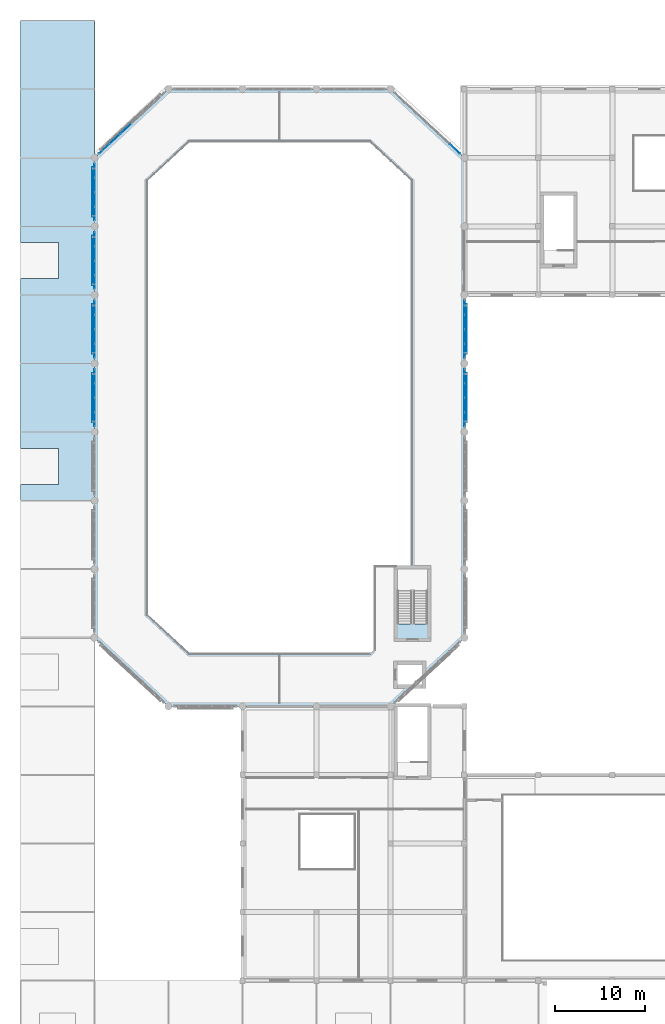
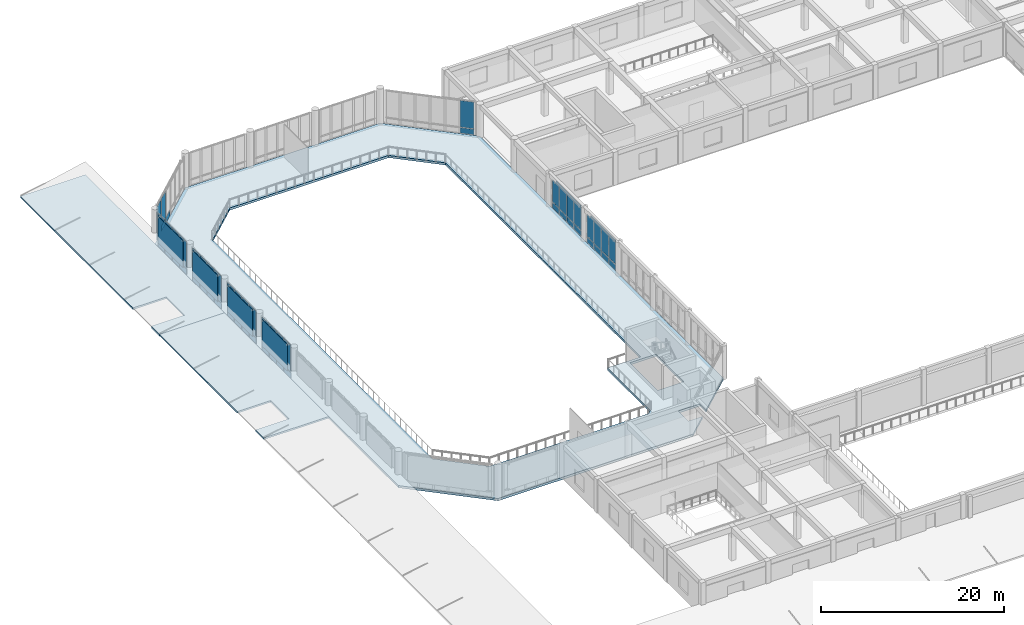
# One storey, part 31 of 57: 61 plates, 3 slabs, 8 elements without a shape of their own.
"""IFC4 building model written with IfcOpenShell, lengths in metres."""

from ifc_helpers import new_model, si_unit, direction, frame, origin, origin_2d, place, context, subcontext, project, spatial, polyline, rectangle, outline, extrude, material, layer, layer_set, type_object, element, aggregate, save


model = new_model("IFC4")

# Units and contexts
model_context = context("Model", 3, precision=1e-05, world=origin(), true_north=direction((0.0, 1.0)))
body_context = subcontext(model_context, "Body", "Model", "MODEL_VIEW")
ifc_project = project(units=[si_unit("LENGTHUNIT", "METRE"), si_unit("AREAUNIT", "SQUARE_METRE"), si_unit("VOLUMEUNIT", "CUBIC_METRE"), si_unit("PLANEANGLEUNIT", "RADIAN"), si_unit("MASSUNIT", "GRAM", prefix="KILO")], contexts=[model_context])

# Site, building, storey
site_placement = place(None, origin())
site = spatial("IfcSite", under=ifc_project, at=site_placement, CompositionType="ELEMENT")
building_placement = place(site_placement, origin())
building = spatial("IfcBuilding", under=site, at=building_placement, Name="Qandaris Square Conservatory and Botanical Centre", CompositionType="ELEMENT")
storey_placement = place(building_placement, frame((0.0, 0.0, 5.39990234375)))
storey = spatial("IfcBuildingStorey", under=building, at=storey_placement, Name="L01", CompositionType="ELEMENT", Elevation=5.39990234375)

# Curtain wall, plates
ifc_material_1 = material(Name="Anodised Aluminium", Category="aluminium")
curtain_wall_type_1 = type_object("IfcCurtainWallType", Name="Unitised Curtain Wall CW-1-644x392", PredefinedType="USERDEFINED", material=ifc_material_1)
curtain_wall_1_placement = place(storey_placement, origin())
curtain_wall_1 = element("IfcCurtainWall", 1, at=curtain_wall_1_placement, inside=storey, type_object=curtain_wall_type_1, Name="Curtain Wall CW-CON-L01-3-4", ObjectType="GLAZED CURTAIN WALL", PredefinedType="USERDEFINED")
ifc_material_2 = material(Name="Tempered Low-E Glass", Category="glass")
ifc_layer_1 = layer(ifc_material_2, 0.0400390625)
ifc_layer_set_1 = layer_set([ifc_layer_1], Name="Tempered Low-E Glass")
plate_type_1 = type_object("IfcPlateType", Name="Conservatory Laminated Low-Iron Biome Glass 40mm", PredefinedType="CURTAIN_PANEL", material=ifc_layer_set_1)
plate_1_placement = place(storey_placement, frame((57.199951171875, 78.8037109375, 0.0751953125), z_axis=(0.0, 0.0, 1.0), x_axis=(0.0, 1.0, 0.0)))
plate_1 = element("IfcPlate", 2, at=plate_1_placement, type_object=plate_type_1, Name="CW-1-644x392 panel 1.1", PredefinedType="CURTAIN_PANEL", context=body_context, shape_type="SweptSolid", body=[
    extrude(rectangle(XDim=1.49755859375, YDim=0.0400390625, at=origin_2d()), origin(), (0.0, 0.0, 1.0), 0.737548828125),
])
plate_2_placement = place(storey_placement, frame((57.199951171875, 78.8037109375, 0.8876953125), z_axis=(0.0, 0.0, 1.0), x_axis=(0.0, 1.0, 0.0)))
plate_2 = element("IfcPlate", 3, at=plate_2_placement, type_object=plate_type_1, Name="CW-1-644x392 panel 1.2", PredefinedType="CURTAIN_PANEL", context=body_context, shape_type="SweptSolid", body=[
    extrude(rectangle(XDim=1.49755859375, YDim=0.0400390625, at=origin_2d()), origin(), (0.0, 0.0, 1.0), 2.95751953125),
])
plate_3_placement = place(storey_placement, frame((57.199951171875, 80.39501953125, 0.0751953125), z_axis=(0.0, 0.0, 1.0), x_axis=(0.0, 1.0, 0.0)))
plate_3 = element("IfcPlate", 4, at=plate_3_placement, type_object=plate_type_1, Name="CW-1-644x392 panel 2.1", PredefinedType="CURTAIN_PANEL", context=body_context, shape_type="SweptSolid", body=[
    extrude(rectangle(XDim=1.534912109375, YDim=0.0400390625, at=origin_2d()), origin(), (0.0, 0.0, 1.0), 0.737548828125),
])
plate_4_placement = place(storey_placement, frame((57.199951171875, 80.39501953125, 0.8876953125), z_axis=(0.0, 0.0, 1.0), x_axis=(0.0, 1.0, 0.0)))
plate_4 = element("IfcPlate", 5, at=plate_4_placement, type_object=plate_type_1, Name="CW-1-644x392 panel 2.2", PredefinedType="CURTAIN_PANEL", context=body_context, shape_type="SweptSolid", body=[
    extrude(rectangle(XDim=1.534912109375, YDim=0.0400390625, at=origin_2d()), origin(), (0.0, 0.0, 1.0), 2.95751953125),
])
plate_5_placement = place(storey_placement, frame((57.199951171875, 82.0048828125, 0.0751953125), z_axis=(0.0, 0.0, 1.0), x_axis=(0.0, 1.0, 0.0)))
plate_5 = element("IfcPlate", 6, at=plate_5_placement, type_object=plate_type_1, Name="CW-1-644x392 panel 3.1", PredefinedType="CURTAIN_PANEL", context=body_context, shape_type="SweptSolid", body=[
    extrude(rectangle(XDim=1.534912109375, YDim=0.0400390625, at=origin_2d()), origin(), (0.0, 0.0, 1.0), 0.737548828125),
])
plate_6_placement = place(storey_placement, frame((57.199951171875, 82.0048828125, 0.8876953125), z_axis=(0.0, 0.0, 1.0), x_axis=(0.0, 1.0, 0.0)))
plate_6 = element("IfcPlate", 7, at=plate_6_placement, type_object=plate_type_1, Name="CW-1-644x392 panel 3.2", PredefinedType="CURTAIN_PANEL", context=body_context, shape_type="SweptSolid", body=[
    extrude(rectangle(XDim=1.534912109375, YDim=0.0400390625, at=origin_2d()), origin(), (0.0, 0.0, 1.0), 2.95751953125),
])
plate_7_placement = place(storey_placement, frame((57.199951171875, 83.59619140625, 0.0751953125), z_axis=(0.0, 0.0, 1.0), x_axis=(0.0, 1.0, 0.0)))
plate_7 = element("IfcPlate", 8, at=plate_7_placement, type_object=plate_type_1, Name="CW-1-644x392 panel 4.1", PredefinedType="CURTAIN_PANEL", context=body_context, shape_type="SweptSolid", body=[
    extrude(rectangle(XDim=1.49755859375, YDim=0.0400390625, at=origin_2d()), origin(), (0.0, 0.0, 1.0), 0.737548828125),
])
plate_8_placement = place(storey_placement, frame((57.199951171875, 83.59619140625, 0.8876953125), z_axis=(0.0, 0.0, 1.0), x_axis=(0.0, 1.0, 0.0)))
plate_8 = element("IfcPlate", 9, at=plate_8_placement, type_object=plate_type_1, Name="CW-1-644x392 panel 4.2", PredefinedType="CURTAIN_PANEL", context=body_context, shape_type="SweptSolid", body=[
    extrude(rectangle(XDim=1.49755859375, YDim=0.0400390625, at=origin_2d()), origin(), (0.0, 0.0, 1.0), 2.95751953125),
])
aggregate(curtain_wall_1, [plate_1, plate_2, plate_3, plate_4, plate_5, plate_6, plate_7, plate_8])

curtain_wall_2_placement = place(storey_placement, origin())
curtain_wall_2 = element("IfcCurtainWall", 10, at=curtain_wall_2_placement, inside=storey, type_object=curtain_wall_type_1, Name="Curtain Wall CW-CON-L01-3-5", ObjectType="GLAZED CURTAIN WALL", PredefinedType="USERDEFINED")
plate_9_placement = place(storey_placement, frame((57.199951171875, 86.40380859375, 0.0751953125), z_axis=(0.0, 0.0, 1.0), x_axis=(0.0, 1.0, 0.0)))
plate_9 = element("IfcPlate", 11, at=plate_9_placement, type_object=plate_type_1, Name="CW-1-644x392 panel 1.1", PredefinedType="CURTAIN_PANEL", context=body_context, shape_type="SweptSolid", body=[
    extrude(rectangle(XDim=1.49755859375, YDim=0.0400390625, at=origin_2d()), origin(), (0.0, 0.0, 1.0), 0.737548828125),
])
plate_10_placement = place(storey_placement, frame((57.199951171875, 86.40380859375, 0.8876953125), z_axis=(0.0, 0.0, 1.0), x_axis=(0.0, 1.0, 0.0)))
plate_10 = element("IfcPlate", 12, at=plate_10_placement, type_object=plate_type_1, Name="CW-1-644x392 panel 1.2", PredefinedType="CURTAIN_PANEL", context=body_context, shape_type="SweptSolid", body=[
    extrude(rectangle(XDim=1.49755859375, YDim=0.0400390625, at=origin_2d()), origin(), (0.0, 0.0, 1.0), 2.95751953125),
])
plate_11_placement = place(storey_placement, frame((57.199951171875, 87.9951171875, 0.0751953125), z_axis=(0.0, 0.0, 1.0), x_axis=(0.0, 1.0, 0.0)))
plate_11 = element("IfcPlate", 13, at=plate_11_placement, type_object=plate_type_1, Name="CW-1-644x392 panel 2.1", PredefinedType="CURTAIN_PANEL", context=body_context, shape_type="SweptSolid", body=[
    extrude(rectangle(XDim=1.534912109375, YDim=0.0400390625, at=origin_2d()), origin(), (0.0, 0.0, 1.0), 0.737548828125),
])
plate_12_placement = place(storey_placement, frame((57.199951171875, 87.9951171875, 0.8876953125), z_axis=(0.0, 0.0, 1.0), x_axis=(0.0, 1.0, 0.0)))
plate_12 = element("IfcPlate", 14, at=plate_12_placement, type_object=plate_type_1, Name="CW-1-644x392 panel 2.2", PredefinedType="CURTAIN_PANEL", context=body_context, shape_type="SweptSolid", body=[
    extrude(rectangle(XDim=1.534912109375, YDim=0.0400390625, at=origin_2d()), origin(), (0.0, 0.0, 1.0), 2.95751953125),
])
plate_13_placement = place(storey_placement, frame((57.199951171875, 89.60498046875, 0.0751953125), z_axis=(0.0, 0.0, 1.0), x_axis=(0.0, 1.0, 0.0)))
plate_13 = element("IfcPlate", 15, at=plate_13_placement, type_object=plate_type_1, Name="CW-1-644x392 panel 3.1", PredefinedType="CURTAIN_PANEL", context=body_context, shape_type="SweptSolid", body=[
    extrude(rectangle(XDim=1.534912109375, YDim=0.0400390625, at=origin_2d()), origin(), (0.0, 0.0, 1.0), 0.737548828125),
])
plate_14_placement = place(storey_placement, frame((57.199951171875, 89.60498046875, 0.8876953125), z_axis=(0.0, 0.0, 1.0), x_axis=(0.0, 1.0, 0.0)))
plate_14 = element("IfcPlate", 16, at=plate_14_placement, type_object=plate_type_1, Name="CW-1-644x392 panel 3.2", PredefinedType="CURTAIN_PANEL", context=body_context, shape_type="SweptSolid", body=[
    extrude(rectangle(XDim=1.534912109375, YDim=0.0400390625, at=origin_2d()), origin(), (0.0, 0.0, 1.0), 2.95751953125),
])
plate_15_placement = place(storey_placement, frame((57.199951171875, 91.1962890625, 0.0751953125), z_axis=(0.0, 0.0, 1.0), x_axis=(0.0, 1.0, 0.0)))
plate_15 = element("IfcPlate", 17, at=plate_15_placement, type_object=plate_type_1, Name="CW-1-644x392 panel 4.1", PredefinedType="CURTAIN_PANEL", context=body_context, shape_type="SweptSolid", body=[
    extrude(rectangle(XDim=1.49755859375, YDim=0.0400390625, at=origin_2d()), origin(), (0.0, 0.0, 1.0), 0.737548828125),
])
plate_16_placement = place(storey_placement, frame((57.199951171875, 91.1962890625, 0.8876953125), z_axis=(0.0, 0.0, 1.0), x_axis=(0.0, 1.0, 0.0)))
plate_16 = element("IfcPlate", 18, at=plate_16_placement, type_object=plate_type_1, Name="CW-1-644x392 panel 4.2", PredefinedType="CURTAIN_PANEL", context=body_context, shape_type="SweptSolid", body=[
    extrude(rectangle(XDim=1.49755859375, YDim=0.0400390625, at=origin_2d()), origin(), (0.0, 0.0, 1.0), 2.95751953125),
])
aggregate(curtain_wall_2, [plate_9, plate_10, plate_11, plate_12, plate_13, plate_14, plate_15, plate_16])

curtain_wall_type_2 = type_object("IfcCurtainWallType", Name="Unitised Curtain Wall CW-1-1002x452", PredefinedType="USERDEFINED", material=ifc_material_1)
curtain_wall_3_placement = place(storey_placement, origin())
curtain_wall_3 = element("IfcCurtainWall", 19, at=curtain_wall_3_placement, inside=storey, type_object=curtain_wall_type_2, Name="Curtain Wall CW-CON-L01-4-1", ObjectType="GLAZED CURTAIN WALL", PredefinedType="USERDEFINED")
plate_17_placement = place(storey_placement, frame((56.1484375, 108.774658203125, 0.0751953125), z_axis=(0.0, 0.0, 1.0), x_axis=(-0.733432966404, 0.679761784592, 0.0)))
plate_17 = element("IfcPlate", 20, at=plate_17_placement, type_object=plate_type_1, Name="CW-1-1002x452 panel 1.1", PredefinedType="CURTAIN_PANEL", context=body_context, shape_type="SweptSolid", body=[
    extrude(rectangle(XDim=1.5576171875, YDim=0.0400390625, at=origin_2d()), origin(), (0.0, 0.0, 1.0), 0.737548828125),
])
plate_18_placement = place(storey_placement, frame((56.1484375, 108.774658203125, 0.887451171875), z_axis=(0.0, 0.0, 1.0), x_axis=(-0.733432966404, 0.679761784592, 0.0)))
plate_18 = element("IfcPlate", 21, at=plate_18_placement, type_object=plate_type_1, Name="CW-1-1002x452 panel 1.2", PredefinedType="CURTAIN_PANEL", context=body_context, shape_type="SweptSolid", body=[
    extrude(rectangle(XDim=1.5576171875, YDim=0.0400390625, at=origin_2d()), origin(), (0.0, 0.0, 1.0), 3.5576171875),
])
aggregate(curtain_wall_3, [plate_17, plate_18])

curtain_wall_4_placement = place(storey_placement, origin())
curtain_wall_4 = element("IfcCurtainWall", 22, at=curtain_wall_4_placement, inside=storey, type_object=curtain_wall_type_2, Name="Curtain Wall CW-CON-L01-6-1", ObjectType="GLAZED CURTAIN WALL", PredefinedType="USERDEFINED")
plate_19_placement = place(storey_placement, frame((19.6875, 111.032470703125, 0.0751953125), z_axis=(0.0, 0.0, 1.0), x_axis=(-0.733432966404, -0.679761784592, 0.0)))
plate_19 = element("IfcPlate", 23, at=plate_19_placement, type_object=plate_type_1, Name="CW-1-1002x452 panel 4.1", PredefinedType="CURTAIN_PANEL", context=body_context, shape_type="SweptSolid", body=[
    extrude(rectangle(XDim=1.594970703125, YDim=0.0400390625, at=origin_2d()), origin(), (0.0, 0.0, 1.0), 0.737548828125),
])
plate_20_placement = place(storey_placement, frame((18.462646484375, 109.897216796875, 0.0751953125), z_axis=(0.0, 0.0, 1.0), x_axis=(-0.733432966404, -0.679761784592, 0.0)))
plate_20 = element("IfcPlate", 24, at=plate_20_placement, type_object=plate_type_1, Name="CW-1-1002x452 panel 5.1", PredefinedType="CURTAIN_PANEL", context=body_context, shape_type="SweptSolid", body=[
    extrude(rectangle(XDim=1.594970703125, YDim=0.0400390625, at=origin_2d()), origin(), (0.0, 0.0, 1.0), 0.737548828125),
])
plate_21_placement = place(storey_placement, frame((18.462646484375, 109.897216796875, 0.887451171875), z_axis=(0.0, 0.0, 1.0), x_axis=(-0.733432966404, -0.679761784592, 0.0)))
plate_21 = element("IfcPlate", 25, at=plate_21_placement, type_object=plate_type_1, Name="CW-1-1002x452 panel 5.2", PredefinedType="CURTAIN_PANEL", context=body_context, shape_type="SweptSolid", body=[
    extrude(rectangle(XDim=1.594970703125, YDim=0.0400390625, at=origin_2d()), origin(), (0.0, 0.0, 1.0), 3.5576171875),
])
plate_22_placement = place(storey_placement, frame((17.25146484375, 108.774658203125, 0.0751953125), z_axis=(0.0, 0.0, 1.0), x_axis=(-0.733432966404, -0.679761784592, 0.0)))
plate_22 = element("IfcPlate", 26, at=plate_22_placement, type_object=plate_type_1, Name="CW-1-1002x452 panel 6.1", PredefinedType="CURTAIN_PANEL", context=body_context, shape_type="SweptSolid", body=[
    extrude(rectangle(XDim=1.5576171875, YDim=0.0400390625, at=origin_2d()), origin(), (0.0, 0.0, 1.0), 0.737548828125),
])
plate_23_placement = place(storey_placement, frame((17.25146484375, 108.774658203125, 0.887451171875), z_axis=(0.0, 0.0, 1.0), x_axis=(-0.733432966404, -0.679761784592, 0.0)))
plate_23 = element("IfcPlate", 27, at=plate_23_placement, type_object=plate_type_1, Name="CW-1-1002x452 panel 6.2", PredefinedType="CURTAIN_PANEL", context=body_context, shape_type="SweptSolid", body=[
    extrude(rectangle(XDim=1.5576171875, YDim=0.0400390625, at=origin_2d()), origin(), (0.0, 0.0, 1.0), 3.5576171875),
])
aggregate(curtain_wall_4, [plate_19, plate_20, plate_21, plate_22, plate_23])

curtain_wall_type_3 = type_object("IfcCurtainWallType", Name="Unitised Curtain Wall CW-1-644x452", PredefinedType="USERDEFINED", material=ifc_material_1)
curtain_wall_5_placement = place(storey_placement, origin())
curtain_wall_5 = element("IfcCurtainWall", 28, at=curtain_wall_5_placement, inside=storey, type_object=curtain_wall_type_3, Name="Curtain Wall CW-CON-L01-7-1", ObjectType="GLAZED CURTAIN WALL", PredefinedType="USERDEFINED")
plate_24_placement = place(storey_placement, frame((16.199951171875, 106.396240234375, 0.0751953125), z_axis=(0.0, 0.0, 1.0), x_axis=(0.0, -1.0, 0.0)))
plate_24 = element("IfcPlate", 29, at=plate_24_placement, type_object=plate_type_1, Name="CW-1-644x452 panel 1.1", PredefinedType="CURTAIN_PANEL", context=body_context, shape_type="SweptSolid", body=[
    extrude(rectangle(XDim=1.49755859375, YDim=0.0400390625, at=origin_2d()), origin(), (0.0, 0.0, 1.0), 0.737548828125),
])
plate_25_placement = place(storey_placement, frame((16.199951171875, 106.396240234375, 0.887451171875), z_axis=(0.0, 0.0, 1.0), x_axis=(0.0, -1.0, 0.0)))
plate_25 = element("IfcPlate", 30, at=plate_25_placement, type_object=plate_type_1, Name="CW-1-644x452 panel 1.2", PredefinedType="CURTAIN_PANEL", context=body_context, shape_type="SweptSolid", body=[
    extrude(rectangle(XDim=1.49755859375, YDim=0.0400390625, at=origin_2d()), origin(), (0.0, 0.0, 1.0), 3.5576171875),
])
plate_26_placement = place(storey_placement, frame((16.199951171875, 104.804931640625, 0.0751953125), z_axis=(0.0, 0.0, 1.0), x_axis=(0.0, -1.0, 0.0)))
plate_26 = element("IfcPlate", 31, at=plate_26_placement, type_object=plate_type_1, Name="CW-1-644x452 panel 2.1", PredefinedType="CURTAIN_PANEL", context=body_context, shape_type="SweptSolid", body=[
    extrude(rectangle(XDim=1.534912109375, YDim=0.0400390625, at=origin_2d()), origin(), (0.0, 0.0, 1.0), 0.737548828125),
])
plate_27_placement = place(storey_placement, frame((16.199951171875, 104.804931640625, 0.887451171875), z_axis=(0.0, 0.0, 1.0), x_axis=(0.0, -1.0, 0.0)))
plate_27 = element("IfcPlate", 32, at=plate_27_placement, type_object=plate_type_1, Name="CW-1-644x452 panel 2.2", PredefinedType="CURTAIN_PANEL", context=body_context, shape_type="SweptSolid", body=[
    extrude(rectangle(XDim=1.534912109375, YDim=0.0400390625, at=origin_2d()), origin(), (0.0, 0.0, 1.0), 3.5576171875),
])
plate_28_placement = place(storey_placement, frame((16.199951171875, 103.195068359375, 0.0751953125), z_axis=(0.0, 0.0, 1.0), x_axis=(0.0, -1.0, 0.0)))
plate_28 = element("IfcPlate", 33, at=plate_28_placement, type_object=plate_type_1, Name="CW-1-644x452 panel 3.1", PredefinedType="CURTAIN_PANEL", context=body_context, shape_type="SweptSolid", body=[
    extrude(rectangle(XDim=1.534912109375, YDim=0.0400390625, at=origin_2d()), origin(), (0.0, 0.0, 1.0), 0.737548828125),
])
plate_29_placement = place(storey_placement, frame((16.199951171875, 103.195068359375, 0.887451171875), z_axis=(0.0, 0.0, 1.0), x_axis=(0.0, -1.0, 0.0)))
plate_29 = element("IfcPlate", 34, at=plate_29_placement, type_object=plate_type_1, Name="CW-1-644x452 panel 3.2", PredefinedType="CURTAIN_PANEL", context=body_context, shape_type="SweptSolid", body=[
    extrude(rectangle(XDim=1.534912109375, YDim=0.0400390625, at=origin_2d()), origin(), (0.0, 0.0, 1.0), 3.5576171875),
])
plate_30_placement = place(storey_placement, frame((16.199951171875, 101.603759765625, 0.0751953125), z_axis=(0.0, 0.0, 1.0), x_axis=(0.0, -1.0, 0.0)))
plate_30 = element("IfcPlate", 35, at=plate_30_placement, type_object=plate_type_1, Name="CW-1-644x452 panel 4.1", PredefinedType="CURTAIN_PANEL", context=body_context, shape_type="SweptSolid", body=[
    extrude(rectangle(XDim=1.49755859375, YDim=0.0400390625, at=origin_2d()), origin(), (0.0, 0.0, 1.0), 0.737548828125),
])
plate_31_placement = place(storey_placement, frame((16.199951171875, 101.603759765625, 0.887451171875), z_axis=(0.0, 0.0, 1.0), x_axis=(0.0, -1.0, 0.0)))
plate_31 = element("IfcPlate", 36, at=plate_31_placement, type_object=plate_type_1, Name="CW-1-644x452 panel 4.2", PredefinedType="CURTAIN_PANEL", context=body_context, shape_type="SweptSolid", body=[
    extrude(rectangle(XDim=1.49755859375, YDim=0.0400390625, at=origin_2d()), origin(), (0.0, 0.0, 1.0), 3.5576171875),
])
aggregate(curtain_wall_5, [plate_24, plate_25, plate_26, plate_27, plate_28, plate_29, plate_30, plate_31])

curtain_wall_6_placement = place(storey_placement, origin())
curtain_wall_6 = element("IfcCurtainWall", 37, at=curtain_wall_6_placement, inside=storey, type_object=curtain_wall_type_3, Name="Curtain Wall CW-CON-L01-7-2", ObjectType="GLAZED CURTAIN WALL", PredefinedType="USERDEFINED")
plate_32_placement = place(storey_placement, frame((16.199951171875, 98.796142578125, 0.0751953125), z_axis=(0.0, 0.0, 1.0), x_axis=(0.0, -1.0, 0.0)))
plate_32 = element("IfcPlate", 38, at=plate_32_placement, type_object=plate_type_1, Name="CW-1-644x452 panel 1.1", PredefinedType="CURTAIN_PANEL", context=body_context, shape_type="SweptSolid", body=[
    extrude(rectangle(XDim=1.49755859375, YDim=0.0400390625, at=origin_2d()), origin(), (0.0, 0.0, 1.0), 0.737548828125),
])
plate_33_placement = place(storey_placement, frame((16.199951171875, 98.796142578125, 0.887451171875), z_axis=(0.0, 0.0, 1.0), x_axis=(0.0, -1.0, 0.0)))
plate_33 = element("IfcPlate", 39, at=plate_33_placement, type_object=plate_type_1, Name="CW-1-644x452 panel 1.2", PredefinedType="CURTAIN_PANEL", context=body_context, shape_type="SweptSolid", body=[
    extrude(rectangle(XDim=1.49755859375, YDim=0.0400390625, at=origin_2d()), origin(), (0.0, 0.0, 1.0), 3.5576171875),
])
plate_34_placement = place(storey_placement, frame((16.199951171875, 97.205078125, 0.0751953125), z_axis=(0.0, 0.0, 1.0), x_axis=(0.0, -1.0, 0.0)))
plate_34 = element("IfcPlate", 40, at=plate_34_placement, type_object=plate_type_1, Name="CW-1-644x452 panel 2.1", PredefinedType="CURTAIN_PANEL", context=body_context, shape_type="SweptSolid", body=[
    extrude(rectangle(XDim=1.534912109375, YDim=0.0400390625, at=origin_2d()), origin(), (0.0, 0.0, 1.0), 0.737548828125),
])
plate_35_placement = place(storey_placement, frame((16.199951171875, 97.205078125, 0.887451171875), z_axis=(0.0, 0.0, 1.0), x_axis=(0.0, -1.0, 0.0)))
plate_35 = element("IfcPlate", 41, at=plate_35_placement, type_object=plate_type_1, Name="CW-1-644x452 panel 2.2", PredefinedType="CURTAIN_PANEL", context=body_context, shape_type="SweptSolid", body=[
    extrude(rectangle(XDim=1.534912109375, YDim=0.0400390625, at=origin_2d()), origin(), (0.0, 0.0, 1.0), 3.5576171875),
])
plate_36_placement = place(storey_placement, frame((16.199951171875, 95.594970703125, 0.0751953125), z_axis=(0.0, 0.0, 1.0), x_axis=(0.0, -1.0, 0.0)))
plate_36 = element("IfcPlate", 42, at=plate_36_placement, type_object=plate_type_1, Name="CW-1-644x452 panel 3.1", PredefinedType="CURTAIN_PANEL", context=body_context, shape_type="SweptSolid", body=[
    extrude(rectangle(XDim=1.534912109375, YDim=0.0400390625, at=origin_2d()), origin(), (0.0, 0.0, 1.0), 0.737548828125),
])
plate_37_placement = place(storey_placement, frame((16.199951171875, 95.594970703125, 0.887451171875), z_axis=(0.0, 0.0, 1.0), x_axis=(0.0, -1.0, 0.0)))
plate_37 = element("IfcPlate", 43, at=plate_37_placement, type_object=plate_type_1, Name="CW-1-644x452 panel 3.2", PredefinedType="CURTAIN_PANEL", context=body_context, shape_type="SweptSolid", body=[
    extrude(rectangle(XDim=1.534912109375, YDim=0.0400390625, at=origin_2d()), origin(), (0.0, 0.0, 1.0), 3.5576171875),
])
plate_38_placement = place(storey_placement, frame((16.199951171875, 94.003662109375, 0.0751953125), z_axis=(0.0, 0.0, 1.0), x_axis=(0.0, -1.0, 0.0)))
plate_38 = element("IfcPlate", 44, at=plate_38_placement, type_object=plate_type_1, Name="CW-1-644x452 panel 4.1", PredefinedType="CURTAIN_PANEL", context=body_context, shape_type="SweptSolid", body=[
    extrude(rectangle(XDim=1.49755859375, YDim=0.0400390625, at=origin_2d()), origin(), (0.0, 0.0, 1.0), 0.737548828125),
])
plate_39_placement = place(storey_placement, frame((16.199951171875, 94.003662109375, 0.887451171875), z_axis=(0.0, 0.0, 1.0), x_axis=(0.0, -1.0, 0.0)))
plate_39 = element("IfcPlate", 45, at=plate_39_placement, type_object=plate_type_1, Name="CW-1-644x452 panel 4.2", PredefinedType="CURTAIN_PANEL", context=body_context, shape_type="SweptSolid", body=[
    extrude(rectangle(XDim=1.49755859375, YDim=0.0400390625, at=origin_2d()), origin(), (0.0, 0.0, 1.0), 3.5576171875),
])
aggregate(curtain_wall_6, [plate_32, plate_33, plate_34, plate_35, plate_36, plate_37, plate_38, plate_39])

curtain_wall_7_placement = place(storey_placement, origin())
curtain_wall_7 = element("IfcCurtainWall", 46, at=curtain_wall_7_placement, inside=storey, type_object=curtain_wall_type_3, Name="Curtain Wall CW-CON-L01-7-3", ObjectType="GLAZED CURTAIN WALL", PredefinedType="USERDEFINED")
plate_40_placement = place(storey_placement, frame((16.199951171875, 91.1962890625, 0.0751953125), z_axis=(0.0, 0.0, 1.0), x_axis=(0.0, -1.0, 0.0)))
plate_40 = element("IfcPlate", 47, at=plate_40_placement, type_object=plate_type_1, Name="CW-1-644x452 panel 1.1", PredefinedType="CURTAIN_PANEL", context=body_context, shape_type="SweptSolid", body=[
    extrude(rectangle(XDim=1.49755859375, YDim=0.0400390625, at=origin_2d()), origin(), (0.0, 0.0, 1.0), 0.737548828125),
])
plate_41_placement = place(storey_placement, frame((16.199951171875, 91.1962890625, 0.887451171875), z_axis=(0.0, 0.0, 1.0), x_axis=(0.0, -1.0, 0.0)))
plate_41 = element("IfcPlate", 48, at=plate_41_placement, type_object=plate_type_1, Name="CW-1-644x452 panel 1.2", PredefinedType="CURTAIN_PANEL", context=body_context, shape_type="SweptSolid", body=[
    extrude(rectangle(XDim=1.49755859375, YDim=0.0400390625, at=origin_2d()), origin(), (0.0, 0.0, 1.0), 3.5576171875),
])
plate_42_placement = place(storey_placement, frame((16.199951171875, 89.60498046875, 0.0751953125), z_axis=(0.0, 0.0, 1.0), x_axis=(0.0, -1.0, 0.0)))
plate_42 = element("IfcPlate", 49, at=plate_42_placement, type_object=plate_type_1, Name="CW-1-644x452 panel 2.1", PredefinedType="CURTAIN_PANEL", context=body_context, shape_type="SweptSolid", body=[
    extrude(rectangle(XDim=1.534912109375, YDim=0.0400390625, at=origin_2d()), origin(), (0.0, 0.0, 1.0), 0.737548828125),
])
plate_43_placement = place(storey_placement, frame((16.199951171875, 89.60498046875, 0.887451171875), z_axis=(0.0, 0.0, 1.0), x_axis=(0.0, -1.0, 0.0)))
plate_43 = element("IfcPlate", 50, at=plate_43_placement, type_object=plate_type_1, Name="CW-1-644x452 panel 2.2", PredefinedType="CURTAIN_PANEL", context=body_context, shape_type="SweptSolid", body=[
    extrude(rectangle(XDim=1.534912109375, YDim=0.0400390625, at=origin_2d()), origin(), (0.0, 0.0, 1.0), 3.5576171875),
])
plate_44_placement = place(storey_placement, frame((16.199951171875, 87.9951171875, 0.0751953125), z_axis=(0.0, 0.0, 1.0), x_axis=(0.0, -1.0, 0.0)))
plate_44 = element("IfcPlate", 51, at=plate_44_placement, type_object=plate_type_1, Name="CW-1-644x452 panel 3.1", PredefinedType="CURTAIN_PANEL", context=body_context, shape_type="SweptSolid", body=[
    extrude(rectangle(XDim=1.534912109375, YDim=0.0400390625, at=origin_2d()), origin(), (0.0, 0.0, 1.0), 0.737548828125),
])
plate_45_placement = place(storey_placement, frame((16.199951171875, 87.9951171875, 0.887451171875), z_axis=(0.0, 0.0, 1.0), x_axis=(0.0, -1.0, 0.0)))
plate_45 = element("IfcPlate", 52, at=plate_45_placement, type_object=plate_type_1, Name="CW-1-644x452 panel 3.2", PredefinedType="CURTAIN_PANEL", context=body_context, shape_type="SweptSolid", body=[
    extrude(rectangle(XDim=1.534912109375, YDim=0.0400390625, at=origin_2d()), origin(), (0.0, 0.0, 1.0), 3.5576171875),
])
plate_46_placement = place(storey_placement, frame((16.199951171875, 86.40380859375, 0.0751953125), z_axis=(0.0, 0.0, 1.0), x_axis=(0.0, -1.0, 0.0)))
plate_46 = element("IfcPlate", 53, at=plate_46_placement, type_object=plate_type_1, Name="CW-1-644x452 panel 4.1", PredefinedType="CURTAIN_PANEL", context=body_context, shape_type="SweptSolid", body=[
    extrude(rectangle(XDim=1.49755859375, YDim=0.0400390625, at=origin_2d()), origin(), (0.0, 0.0, 1.0), 0.737548828125),
])
plate_47_placement = place(storey_placement, frame((16.199951171875, 86.40380859375, 0.887451171875), z_axis=(0.0, 0.0, 1.0), x_axis=(0.0, -1.0, 0.0)))
plate_47 = element("IfcPlate", 54, at=plate_47_placement, type_object=plate_type_1, Name="CW-1-644x452 panel 4.2", PredefinedType="CURTAIN_PANEL", context=body_context, shape_type="SweptSolid", body=[
    extrude(rectangle(XDim=1.49755859375, YDim=0.0400390625, at=origin_2d()), origin(), (0.0, 0.0, 1.0), 3.5576171875),
])
aggregate(curtain_wall_7, [plate_40, plate_41, plate_42, plate_43, plate_44, plate_45, plate_46, plate_47])

curtain_wall_8_placement = place(storey_placement, origin())
curtain_wall_8 = element("IfcCurtainWall", 55, at=curtain_wall_8_placement, inside=storey, type_object=curtain_wall_type_3, Name="Curtain Wall CW-CON-L01-7-4", ObjectType="GLAZED CURTAIN WALL", PredefinedType="USERDEFINED")
plate_48_placement = place(storey_placement, frame((16.199951171875, 83.59619140625, 0.0751953125), z_axis=(0.0, 0.0, 1.0), x_axis=(0.0, -1.0, 0.0)))
plate_48 = element("IfcPlate", 56, at=plate_48_placement, type_object=plate_type_1, Name="CW-1-644x452 panel 1.1", PredefinedType="CURTAIN_PANEL", context=body_context, shape_type="SweptSolid", body=[
    extrude(rectangle(XDim=1.49755859375, YDim=0.0400390625, at=origin_2d()), origin(), (0.0, 0.0, 1.0), 0.737548828125),
])
plate_49_placement = place(storey_placement, frame((16.199951171875, 83.59619140625, 0.887451171875), z_axis=(0.0, 0.0, 1.0), x_axis=(0.0, -1.0, 0.0)))
plate_49 = element("IfcPlate", 57, at=plate_49_placement, type_object=plate_type_1, Name="CW-1-644x452 panel 1.2", PredefinedType="CURTAIN_PANEL", context=body_context, shape_type="SweptSolid", body=[
    extrude(rectangle(XDim=1.49755859375, YDim=0.0400390625, at=origin_2d()), origin(), (0.0, 0.0, 1.0), 3.5576171875),
])
plate_50_placement = place(storey_placement, frame((16.199951171875, 82.0048828125, 0.0751953125), z_axis=(0.0, 0.0, 1.0), x_axis=(0.0, -1.0, 0.0)))
plate_50 = element("IfcPlate", 58, at=plate_50_placement, type_object=plate_type_1, Name="CW-1-644x452 panel 2.1", PredefinedType="CURTAIN_PANEL", context=body_context, shape_type="SweptSolid", body=[
    extrude(rectangle(XDim=1.534912109375, YDim=0.0400390625, at=origin_2d()), origin(), (0.0, 0.0, 1.0), 0.737548828125),
])
plate_51_placement = place(storey_placement, frame((16.199951171875, 82.0048828125, 0.887451171875), z_axis=(0.0, 0.0, 1.0), x_axis=(0.0, -1.0, 0.0)))
plate_51 = element("IfcPlate", 59, at=plate_51_placement, type_object=plate_type_1, Name="CW-1-644x452 panel 2.2", PredefinedType="CURTAIN_PANEL", context=body_context, shape_type="SweptSolid", body=[
    extrude(rectangle(XDim=1.534912109375, YDim=0.0400390625, at=origin_2d()), origin(), (0.0, 0.0, 1.0), 3.5576171875),
])
plate_52_placement = place(storey_placement, frame((16.199951171875, 80.39501953125, 0.0751953125), z_axis=(0.0, 0.0, 1.0), x_axis=(0.0, -1.0, 0.0)))
plate_52 = element("IfcPlate", 60, at=plate_52_placement, type_object=plate_type_1, Name="CW-1-644x452 panel 3.1", PredefinedType="CURTAIN_PANEL", context=body_context, shape_type="SweptSolid", body=[
    extrude(rectangle(XDim=1.534912109375, YDim=0.0400390625, at=origin_2d()), origin(), (0.0, 0.0, 1.0), 0.737548828125),
])
plate_53_placement = place(storey_placement, frame((16.199951171875, 80.39501953125, 0.887451171875), z_axis=(0.0, 0.0, 1.0), x_axis=(0.0, -1.0, 0.0)))
plate_53 = element("IfcPlate", 61, at=plate_53_placement, type_object=plate_type_1, Name="CW-1-644x452 panel 3.2", PredefinedType="CURTAIN_PANEL", context=body_context, shape_type="SweptSolid", body=[
    extrude(rectangle(XDim=1.534912109375, YDim=0.0400390625, at=origin_2d()), origin(), (0.0, 0.0, 1.0), 3.5576171875),
])
plate_54_placement = place(storey_placement, frame((16.199951171875, 78.8037109375, 0.0751953125), z_axis=(0.0, 0.0, 1.0), x_axis=(0.0, -1.0, 0.0)))
plate_54 = element("IfcPlate", 62, at=plate_54_placement, type_object=plate_type_1, Name="CW-1-644x452 panel 4.1", PredefinedType="CURTAIN_PANEL", context=body_context, shape_type="SweptSolid", body=[
    extrude(rectangle(XDim=1.49755859375, YDim=0.0400390625, at=origin_2d()), origin(), (0.0, 0.0, 1.0), 0.737548828125),
])
plate_55_placement = place(storey_placement, frame((16.199951171875, 78.8037109375, 0.887451171875), z_axis=(0.0, 0.0, 1.0), x_axis=(0.0, -1.0, 0.0)))
plate_55 = element("IfcPlate", 63, at=plate_55_placement, type_object=plate_type_1, Name="CW-1-644x452 panel 4.2", PredefinedType="CURTAIN_PANEL", context=body_context, shape_type="SweptSolid", body=[
    extrude(rectangle(XDim=1.49755859375, YDim=0.0400390625, at=origin_2d()), origin(), (0.0, 0.0, 1.0), 3.5576171875),
])
aggregate(curtain_wall_8, [plate_48, plate_49, plate_50, plate_51, plate_52, plate_53, plate_54, plate_55])

# Plates
ifc_material_3 = material(Name="Weathering Bronze Alloy", Category="metal")
ifc_layer_2 = layer(ifc_material_3, 0.044921875)
ifc_layer_set_2 = layer_set([ifc_layer_2], Name="Weathering Bronze Alloy")
plate_type_2 = type_object("IfcPlateType", Name="Perforated Bronze Mashrabiya Solar Screen Panel", PredefinedType="USERDEFINED", material=ifc_layer_set_2)
for number, where, z_axis, x_axis, name in (
    (64, (57.419921875, 81.199951171875, 0.8798828125), (0.0, 0.0, 1.0), (0.0, 1.0, 0.0), "Mashrabiya Solar Screen CW-CON-L01-3-4"),
    (65, (57.419921875, 88.800048828125, 0.8798828125), (0.0, 0.0, 1.0), (0.0, 1.0, 0.0), "Mashrabiya Solar Screen CW-CON-L01-3-5"),
):
    element("IfcPlate", number, at=place(storey_placement, frame(where, z_axis=z_axis, x_axis=x_axis)), inside=storey, type_object=plate_type_2, Name=name, ObjectType="SOLAR SCREEN", PredefinedType="USERDEFINED", context=body_context, shape_type="SweptSolid", body=[
        extrude(rectangle(XDim=5.47998046875, YDim=0.044921875, at=origin_2d()), origin(), (0.0, 0.0, 1.0), 2.949951171875),
    ])
for number, where, z_axis, x_axis, name in (
    (66, (15.97998046875, 104.0, 0.8798828125), (0.0, 0.0, 1.0), (0.0, -1.0, 0.0), "Mashrabiya Solar Screen CW-CON-L01-7-1"),
    (67, (15.97998046875, 96.39990234375, 0.8798828125), (0.0, 0.0, 1.0), (0.0, -1.0, 0.0), "Mashrabiya Solar Screen CW-CON-L01-7-2"),
    (68, (15.97998046875, 88.800048828125, 0.8798828125), (0.0, 0.0, 1.0), (0.0, -1.0, 0.0), "Mashrabiya Solar Screen CW-CON-L01-7-3"),
    (69, (15.97998046875, 81.199951171875, 0.8798828125), (0.0, 0.0, 1.0), (0.0, -1.0, 0.0), "Mashrabiya Solar Screen CW-CON-L01-7-4"),
):
    element("IfcPlate", number, at=place(storey_placement, frame(where, z_axis=z_axis, x_axis=x_axis)), inside=storey, type_object=plate_type_2, Name=name, ObjectType="SOLAR SCREEN", PredefinedType="USERDEFINED", context=body_context, shape_type="SweptSolid", body=[
        extrude(rectangle(XDim=5.47998046875, YDim=0.044921875, at=origin_2d()), origin(), (0.0, 0.0, 1.0), 3.550048828125),
    ])

# Slabs
ifc_material_4 = material(Name="Concrete C40/50", Category="concrete")
ifc_layer_3 = layer(ifc_material_4, 0.22509765625)
ifc_layer_set_3 = layer_set([ifc_layer_3], Name="Concrete C40/50")
slab_type_1 = type_object("IfcSlabType", Name="RC Flat Roof Slab 225mm", PredefinedType="ROOF", material=ifc_layer_set_3)
slab_1_placement = place(storey_placement, frame((0.0, 0.0, -0.224853515625)))
element("IfcSlab", 70, at=slab_1_placement, inside=storey, type_object=slab_type_1, Name="Square Colonnade Structural Canopy Deck COLW-3", PredefinedType="ROOF", context=body_context, shape_type="SweptSolid", body=[
    extrude(outline(polyline([(8.0, 92.60009765625), (16.199951171875, 92.60009765625), (16.199951171875, 69.800048828125), (8.0, 69.800048828125), (8.0, 71.60009765625), (12.199951171875, 71.60009765625), (12.199951171875, 75.60009765625), (8.0, 75.60009765625), (8.0, 92.60009765625)])), origin(), (0.0, 0.0, 1.0), 0.224853515625),
])
slab_2_placement = place(storey_placement, frame((0.0, 0.0, -0.224853515625)))
element("IfcSlab", 71, at=slab_2_placement, inside=storey, type_object=slab_type_1, Name="Square Colonnade Structural Canopy Deck COLW-4", PredefinedType="ROOF", context=body_context, shape_type="SweptSolid", body=[
    extrude(outline(polyline([(8.0, 123.0), (16.199951171875, 123.0), (16.199951171875, 92.60009765625), (8.0, 92.60009765625), (8.0, 94.39990234375), (12.199951171875, 94.39990234375), (12.199951171875, 98.39990234375), (8.0, 98.39990234375), (8.0, 123.0)])), origin(), (0.0, 0.0, 1.0), 0.224853515625),
])
ifc_layer_4 = layer(ifc_material_4, 0.300048828125)
ifc_layer_set_4 = layer_set([ifc_layer_4], Name="Concrete C40/50")
slab_type_2 = type_object("IfcSlabType", Name="RC Structural Slab 300mm", PredefinedType="FLOOR", material=ifc_layer_set_4)
slab_3_placement = place(storey_placement, frame((0.0, 0.0, -0.2998046875)))
element("IfcSlab", 72, at=slab_3_placement, inside=storey, type_object=slab_type_2, Name="L01 Structural Slab V1L01", PredefinedType="FLOOR", context=body_context, shape_type="SweptSolid", body=[
    extrude(outline(polyline([(52.5, 50.243896484375), (52.5, 51.60009765625), (49.800048828125, 51.60009765625), (49.800048828125, 49.39990234375), (51.589599609375, 49.39990234375), (49.0, 47.0), (47.199951171875, 47.0), (24.39990234375, 47.0), (16.199951171875, 54.60009765625), (16.199951171875, 107.800048828125), (24.39990234375, 115.39990234375), (49.0, 115.39990234375), (57.199951171875, 107.800048828125), (57.199951171875, 62.60009765625), (57.199951171875, 54.60009765625), (52.5, 50.243896484375)]), holes=[polyline([(51.39990234375, 62.60009765625), (51.39990234375, 105.267578125), (46.7255859375, 109.60009765625), (26.674560546875, 109.60009765625), (22.0, 105.267578125), (22.0, 57.13232421875), (26.674560546875, 52.800048828125), (46.7255859375, 52.800048828125), (47.199951171875, 53.23974609375), (47.199951171875, 62.60009765625), (51.39990234375, 62.60009765625)]), polyline([(53.10009765625, 62.199951171875), (49.800048828125, 62.199951171875), (49.800048828125, 56.14990234375), (53.10009765625, 56.14990234375), (53.10009765625, 62.199951171875)])]), origin(), (0.0, 0.0, 1.0), 0.2998046875),
])

save(model, "model.ifc")
